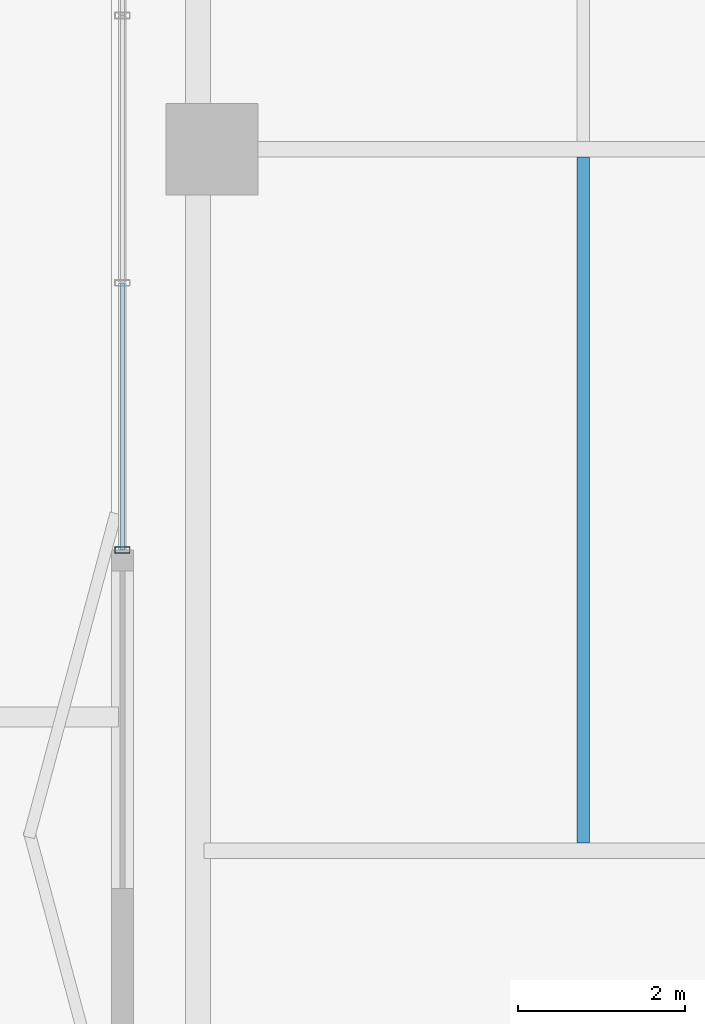
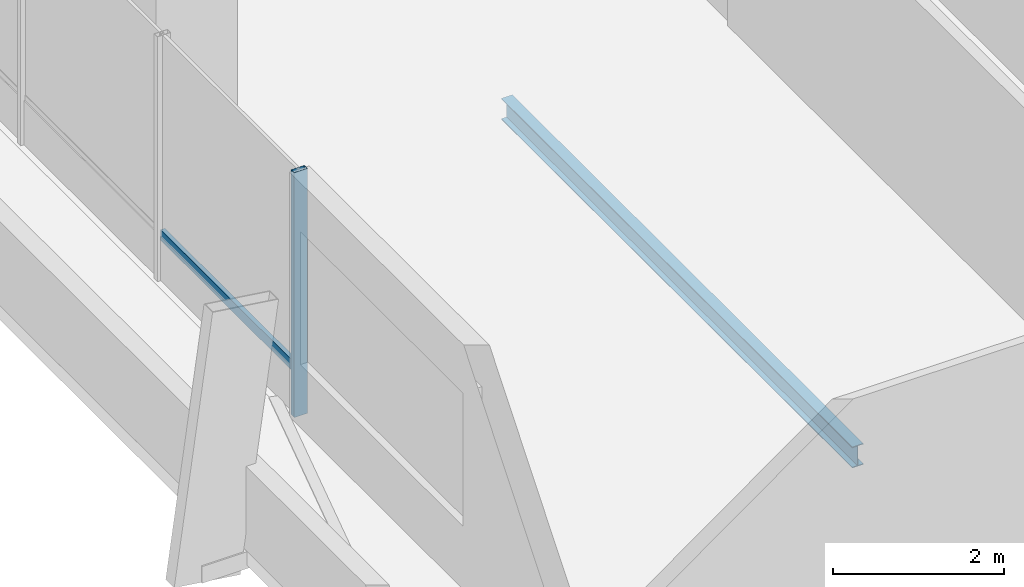
# One storey, part 4 of 16: 2 members, 1 beam, 1 element without a shape of its own.
"""IFC4 building model written with IfcOpenShell, lengths in metres."""

from ifc_helpers import new_model, si_unit, direction, frame, origin, origin_2d, place, context, subcontext, project, spatial, hollow_rectangle, i_section, extrude, material, layer, layer_set, material_profile, profile_set, type_object, element, aggregate, save


model = new_model("IFC4")

# Units and contexts
model_context = context("Model", 3, precision=1e-05, world=origin(), true_north=direction((0.0, 1.0)))
body_context = subcontext(model_context, "Body", "Model", "MODEL_VIEW")
ifc_project = project(units=[si_unit("LENGTHUNIT", "METRE"), si_unit("AREAUNIT", "SQUARE_METRE"), si_unit("VOLUMEUNIT", "CUBIC_METRE"), si_unit("PLANEANGLEUNIT", "RADIAN"), si_unit("MASSUNIT", "GRAM", prefix="KILO")], contexts=[model_context])

# Site, building, storey
site_placement = place(None, origin())
site = spatial("IfcSite", under=ifc_project, at=site_placement, CompositionType="ELEMENT")
building_placement = place(site_placement, origin())
building = spatial("IfcBuilding", under=site, at=building_placement, Name="Belovzor Exchange Tower", CompositionType="ELEMENT")
storey_placement = place(building_placement, frame((0.0, 0.0, 138.300048828125)))
storey = spatial("IfcBuildingStorey", under=building, at=storey_placement, Name="L33", CompositionType="ELEMENT", Elevation=138.300048828125)

# Beam
ifc_material_1 = material(Name="Steel S355", Category="steel")
ifc_material_profile_1 = material_profile(ifc_material_1, i_section(OverallWidth=0.14990234375, OverallDepth=0.300048828125, WebThickness=0.007080078125, FlangeThickness=0.0107421875, at=origin_2d()))
ifc_profile_set_1 = profile_set([ifc_material_profile_1], Name="Steel S355")
beam_type = type_object("IfcBeamType", Name="Secondary Trim Floor Joist IPE 300", PredefinedType="BEAM", material=ifc_profile_set_1)
beam_placement = place(storey_placement, frame((10.14892578125, 20.4951171875, -0.405029296875), z_axis=(0.0, 1.0, 0.0), x_axis=(-1.0, 0.0, 0.0)))
element("IfcBeam", 1, at=beam_placement, inside=storey, type_object=beam_type, Name="FJ-300 Secondary Trim Floor Joist IPE 300", PredefinedType="BEAM", context=body_context, shape_type="SweptSolid", body=[
    extrude(i_section(OverallWidth=0.14990234375, OverallDepth=0.300048828125, WebThickness=0.007080078125, FlangeThickness=0.0107421875, at=origin_2d()), origin(), (0.0, 0.0, 1.0), 8.2099609375),
])

# Curtain wall, members
ifc_material_2 = material(Name="Anodised Aluminium Framing", Category="aluminium")
ifc_layer = layer(ifc_material_2, 0.179931640625)
ifc_layer_set = layer_set([ifc_layer], Name="Anodised Aluminium Framing")
curtain_wall_type = type_object("IfcCurtainWallType", Name="Recessed Loggia Low-Iron Triple-Glazed Curtain Wall", PredefinedType="NOTDEFINED", material=ifc_layer_set)
curtain_wall_placement = place(storey_placement, origin())
curtain_wall = element("IfcCurtainWall", 2, at=curtain_wall_placement, inside=storey, type_object=curtain_wall_type, Name="CW3 Recessed Loggia Low-Iron Triple-Glazed Curtain Wall L33", PredefinedType="NOTDEFINED")
ifc_material_3 = material(Name="Steel S355", Category="steel")
ifc_material_profile_2 = material_profile(ifc_material_3, hollow_rectangle(XDim=0.074951171875, YDim=0.179931640625, WallThickness=0.0048828125, at=origin_2d()))
ifc_profile_set_2 = profile_set([ifc_material_profile_2], Name="Steel S355")
member_type_1 = type_object("IfcMemberType", Name="Thermally Broken Curtain Wall Mullion 180x75", PredefinedType="MULLION", material=ifc_profile_set_2)
member_1_placement = place(storey_placement, frame((4.6298828125, 24.0, 0.0), z_axis=(0.0, 0.0, 1.0), x_axis=(0.0, 1.0, 0.0)))
member_1 = element("IfcMember", 3, at=member_1_placement, type_object=member_type_1, Name="CW-M180 Curtain Wall Mullion 1", PredefinedType="MULLION", context=body_context, shape_type="SweptSolid", body=[
    extrude(hollow_rectangle(XDim=0.074951171875, YDim=0.179931640625, WallThickness=0.0048828125, at=origin_2d()), origin(), (0.0, 0.0, 1.0), 3.494873046875),
])
ifc_material_4 = material(Name="Steel S355", Category="steel")
ifc_material_profile_3 = material_profile(ifc_material_4, hollow_rectangle(XDim=0.06005859375, YDim=0.14990234375, WallThickness=0.00390625, at=origin_2d()))
ifc_profile_set_3 = profile_set([ifc_material_profile_3], Name="Steel S355")
member_type_2 = type_object("IfcMemberType", Name="Thermally Broken Curtain Wall Transom 150x60", PredefinedType="USERDEFINED", material=ifc_profile_set_3)
member_2_placement = place(storey_placement, frame((4.6298828125, 24.008056640625, 0.62890625), z_axis=(0.0, 1.0, 0.0), x_axis=(-1.0, 0.0, 0.0)))
member_2 = element("IfcMember", 4, at=member_2_placement, type_object=member_type_2, Name="CW-T150 Curtain Wall Transom 1", ObjectType="TRANSOM", PredefinedType="USERDEFINED", context=body_context, shape_type="SweptSolid", body=[
    extrude(hollow_rectangle(XDim=0.06005859375, YDim=0.14990234375, WallThickness=0.00390625, at=origin_2d()), origin(), (0.0, 0.0, 1.0), 3.183837890625),
])
aggregate(curtain_wall, [member_1, member_2])

save(model, "model.ifc")
